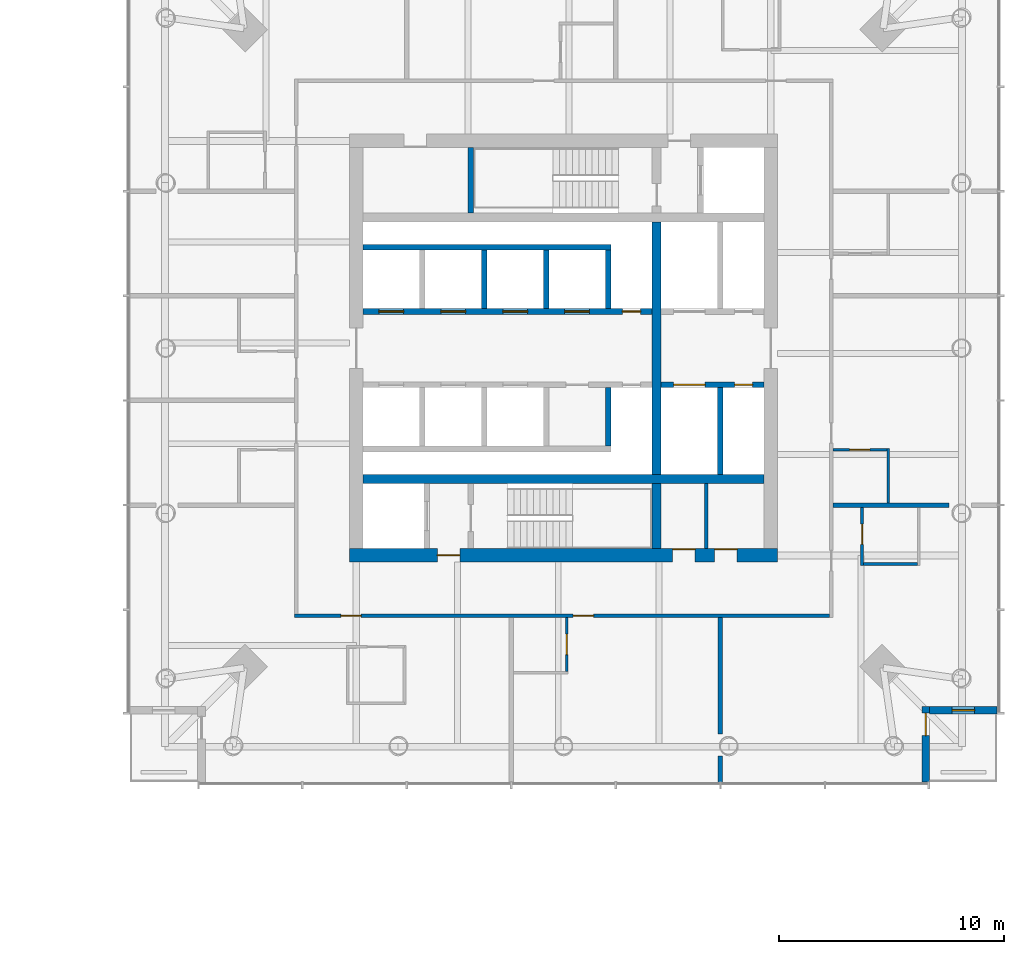
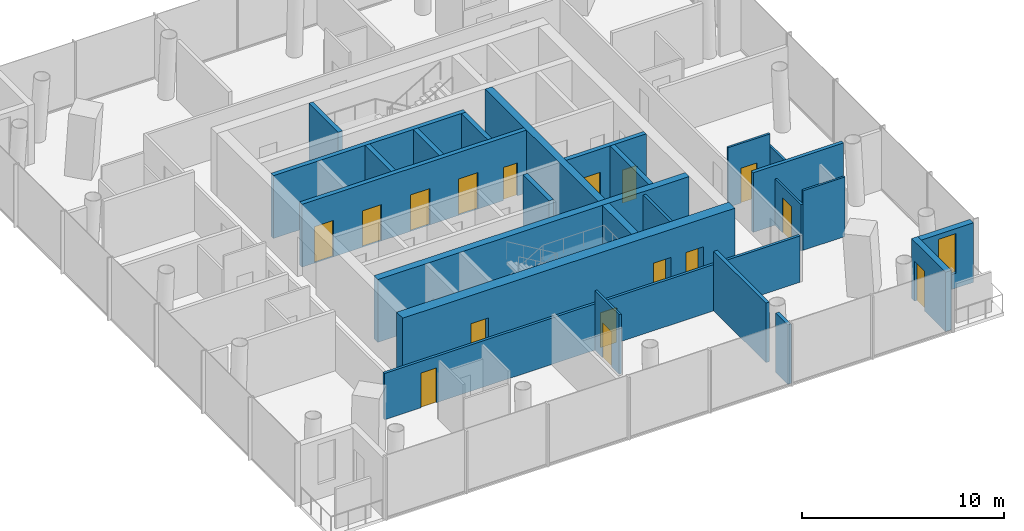
# One storey, part 14 of 26: 25 walls, 16 doors, 1 window, 17 openings.
"""IFC4 building model written with IfcOpenShell, lengths in metres."""

from ifc_helpers import new_model, si_unit, direction, frame, frame_2d, origin, place, context, subcontext, project, spatial, rectangle, extrude, material, layer, layer_set, type_object, element, fill, save


model = new_model("IFC4")

# Units and contexts
model_context = context("Model", 3, precision=1e-05, world=origin(), true_north=direction((0.0, 1.0)))
body_context = subcontext(model_context, "Body", "Model", "MODEL_VIEW")
ifc_project = project(units=[si_unit("LENGTHUNIT", "METRE"), si_unit("AREAUNIT", "SQUARE_METRE"), si_unit("VOLUMEUNIT", "CUBIC_METRE"), si_unit("PLANEANGLEUNIT", "RADIAN"), si_unit("MASSUNIT", "GRAM", prefix="KILO")], contexts=[model_context])

# Site, building, storey
site_placement = place(None, origin())
site = spatial("IfcSite", under=ifc_project, at=site_placement, CompositionType="ELEMENT")
building_placement = place(site_placement, origin())
building = spatial("IfcBuilding", under=site, at=building_placement, Name="Ostroluk Exchange", CompositionType="ELEMENT")
storey_placement = place(building_placement, frame((0.0, 0.0, 51.39990234375)))
storey = spatial("IfcBuildingStorey", under=building, at=storey_placement, Name="L12", CompositionType="ELEMENT", Elevation=51.39990234375)

# Walls
ifc_material_1 = material(Name="Concrete blockwork", Category="masonry")
ifc_layer_1 = layer(ifc_material_1, 0.14990234375)
ifc_layer_set_1 = layer_set([ifc_layer_1], Name="Blockwork plant room wall 150")
wall_type_1 = type_object("IfcWallType", Name="Blockwork plant room wall 150", PredefinedType="SOLIDWALL", material=ifc_layer_set_1)
wall_1_placement = place(storey_placement, frame((123.3408203125, 37.10009765625, 0.0), z_axis=(0.0, 0.0, 1.0), x_axis=(0.0, 1.0, 0.0)))
element("IfcWall", 1, at=wall_1_placement, inside=storey, type_object=wall_type_1, Name="Core room wall", PredefinedType="SOLIDWALL", context=body_context, shape_type="SweptSolid", body=[
    extrude(rectangle(XDim=2.89990234375, YDim=0.14990234375, at=frame_2d((1.449951171875, 0.0))), origin(), (0.0, 0.0, 1.0), 3.60009765625),
])
ifc_material_2 = material(Name="Concrete C50/60", Category="concrete")
ifc_layer_2 = layer(ifc_material_2, 0.39990234375)
ifc_layer_set_2 = layer_set([ifc_layer_2], Name="Core cross wall 400 C50/60")
wall_type_2 = type_object("IfcWallType", Name="Core cross wall 400 C50/60", PredefinedType="SHEAR", material=ifc_layer_set_2)
wall_2_placement = place(storey_placement, frame((108.10009765625, 40.199951171875, 0.0), z_axis=(0.0, 0.0, 1.0), x_axis=(1.0, 0.0, 0.0)))
element("IfcWall", 2, at=wall_2_placement, inside=storey, type_object=wall_type_2, Name="T2 core wall XS", PredefinedType="SHEAR", context=body_context, shape_type="SweptSolid", body=[
    extrude(rectangle(XDim=17.7998046875, YDim=0.39990234375, at=frame_2d((8.89990234375, 0.0))), origin(), (0.0, 0.0, 1.0), 3.800048828125),
])
wall_3_placement = place(storey_placement, frame((121.1298828125, 37.10009765625, 0.0), z_axis=(0.0, 0.0, 1.0), x_axis=(0.0, 1.0, 0.0)))
element("IfcWall", 3, at=wall_3_placement, inside=storey, type_object=wall_type_2, Name="T2 core wall YE1", PredefinedType="SHEAR", context=body_context, shape_type="SweptSolid", body=[
    extrude(rectangle(XDim=2.89990234375, YDim=0.39990234375, at=frame_2d((1.449951171875, 0.0))), origin(), (0.0, 0.0, 1.0), 3.800048828125),
])
wall_4_placement = place(storey_placement, frame((121.1298828125, 40.39990234375, 0.0), z_axis=(0.0, 0.0, 1.0), x_axis=(0.0, 1.0, 0.0)))
element("IfcWall", 4, at=wall_4_placement, inside=storey, type_object=wall_type_2, Name="T2 core wall YE2", PredefinedType="SHEAR", context=body_context, shape_type="SweptSolid", body=[
    extrude(rectangle(XDim=11.2001953125, YDim=0.39990234375, at=frame_2d((5.60009765625, 0.0))), origin(), (0.0, 0.0, 1.0), 3.800048828125),
])
ifc_material_3 = material(Name="Concrete C40/50", Category="concrete")
ifc_layer_3 = layer(ifc_material_3, 0.25)
ifc_layer_set_3 = layer_set([ifc_layer_3], Name="Core shaft wall 250")
wall_type_3 = type_object("IfcWallType", Name="Core shaft wall 250", PredefinedType="SHEAR", material=ifc_layer_set_3)
wall_5_placement = place(storey_placement, frame((112.875, 52.0, 0.0), z_axis=(0.0, 0.0, 1.0), x_axis=(0.0, 1.0, 0.0)))
element("IfcWall", 5, at=wall_5_placement, inside=storey, type_object=wall_type_3, Name="Stair shaft wall", PredefinedType="SHEAR", context=body_context, shape_type="SweptSolid", body=[
    extrude(rectangle(XDim=2.89990234375, YDim=0.25, at=frame_2d((1.449951171875, 0.0))), origin(), (0.0, 0.0, 1.0), 3.800048828125),
])
for number, where, z_axis, x_axis, name in (
    (6, (113.47509765625, 47.75, 0.0), (0.0, 0.0, 1.0), (0.0, 1.0, 0.0), "Lift shaft wall"),
    (7, (116.22509765625, 47.75, 0.0), (0.0, 0.0, 1.0), (0.0, 1.0, 0.0), "Lift shaft wall"),
    (8, (118.97509765625, 47.75, 0.0), (0.0, 0.0, 1.0), (0.0, 1.0, 0.0), "Lift shaft wall"),
):
    element("IfcWall", number, at=place(storey_placement, frame(where, z_axis=z_axis, x_axis=x_axis)), inside=storey, type_object=wall_type_3, Name=name, PredefinedType="SHEAR", context=body_context, shape_type="SweptSolid", body=[
        extrude(rectangle(XDim=2.60009765625, YDim=0.25, at=frame_2d((1.300048828125, 0.0))), origin(), (0.0, 0.0, 1.0), 3.800048828125),
    ])
wall_6_placement = place(storey_placement, frame((108.10009765625, 50.47509765625, 0.0), z_axis=(0.0, 0.0, 1.0), x_axis=(1.0, 0.0, 0.0)))
element("IfcWall", 9, at=wall_6_placement, inside=storey, type_object=wall_type_3, Name="Lift shaft wall", PredefinedType="SHEAR", context=body_context, shape_type="SweptSolid", body=[
    extrude(rectangle(XDim=11.0, YDim=0.25, at=frame_2d((5.5, 0.0))), origin(), (0.0, 0.0, 1.0), 3.800048828125),
])

# Wall, openings, doors
wall_7_placement = place(storey_placement, frame((108.10009765625, 47.625, 0.0), z_axis=(0.0, 0.0, 1.0), x_axis=(1.0, 0.0, 0.0)))
wall_7 = element("IfcWall", 10, at=wall_7_placement, inside=storey, type_object=wall_type_3, Name="Lift shaft front wall", PredefinedType="SHEAR", context=body_context, shape_type="SweptSolid", body=[
    extrude(rectangle(XDim=12.829833984375, YDim=0.25, at=frame_2d((6.4150390625, 0.0))), origin(), (0.0, 0.0, 1.0), 3.800048828125),
])
opening_1_placement = place(wall_7_placement, frame((0.699951171875, 0.0, 0.0)))
opening_1 = element("IfcOpeningElement", 11, at=opening_1_placement, cuts=wall_7, Name="Opening LD", PredefinedType="OPENING", context=body_context, shape_type="SweptSolid", body=[
    extrude(rectangle(XDim=1.10009765625, YDim=2.199951171875, at=frame_2d((0.550048828125, 1.10009765625))), frame((0.0, 0.135009765625, 0.0), z_axis=(0.0, -1.0, 0.0), x_axis=(1.0, 0.0, 0.0)), (0.0, 0.0, 1.0), 0.27001953125),
])
opening_2_placement = place(wall_7_placement, frame((3.449951171875, 0.0, 0.0)))
opening_2 = element("IfcOpeningElement", 12, at=opening_2_placement, cuts=wall_7, Name="Opening LD", PredefinedType="OPENING", context=body_context, shape_type="SweptSolid", body=[
    extrude(rectangle(XDim=1.10009765625, YDim=2.199951171875, at=frame_2d((0.550048828125, 1.10009765625))), frame((0.0, 0.135009765625, 0.0), z_axis=(0.0, -1.0, 0.0), x_axis=(1.0, 0.0, 0.0)), (0.0, 0.0, 1.0), 0.27001953125),
])
opening_3_placement = place(wall_7_placement, frame((6.199951171875, 0.0, 0.0)))
opening_3 = element("IfcOpeningElement", 13, at=opening_3_placement, cuts=wall_7, Name="Opening LD", PredefinedType="OPENING", context=body_context, shape_type="SweptSolid", body=[
    extrude(rectangle(XDim=1.10009765625, YDim=2.199951171875, at=frame_2d((0.550048828125, 1.10009765625))), frame((0.0, 0.135009765625, 0.0), z_axis=(0.0, -1.0, 0.0), x_axis=(1.0, 0.0, 0.0)), (0.0, 0.0, 1.0), 0.27001953125),
])
opening_4_placement = place(wall_7_placement, frame((8.949951171875, 0.0, 0.0)))
opening_4 = element("IfcOpeningElement", 14, at=opening_4_placement, cuts=wall_7, Name="Opening LD", PredefinedType="OPENING", context=body_context, shape_type="SweptSolid", body=[
    extrude(rectangle(XDim=1.10009765625, YDim=2.199951171875, at=frame_2d((0.550048828125, 1.10009765625))), frame((0.0, 0.135009765625, 0.0), z_axis=(0.0, -1.0, 0.0), x_axis=(1.0, 0.0, 0.0)), (0.0, 0.0, 1.0), 0.27001953125),
])
opening_5_placement = place(wall_7_placement, frame((11.514892578125, 0.0, 0.0)))
opening_5 = element("IfcOpeningElement", 15, at=opening_5_placement, cuts=wall_7, Name="Opening RD60", PredefinedType="OPENING", context=body_context, shape_type="SweptSolid", body=[
    extrude(rectangle(XDim=0.800048828125, YDim=2.0, at=frame_2d((0.39990234375, 1.0))), frame((0.0, 0.135009765625, 0.0), z_axis=(0.0, -1.0, 0.0), x_axis=(1.0, 0.0, 0.0)), (0.0, 0.0, 1.0), 0.27001953125),
])
ifc_material_4 = material(Name="Stainless steel", Category="steel")
door_type_1 = type_object("IfcDoorType", Name="Lift landing door E 60 1100 x 2200", OperationType="DOUBLE_DOOR_SLIDING", PredefinedType="DOOR", material=ifc_material_4)
door_1_placement = place(opening_1_placement, origin())
door_1 = element("IfcDoor", 16, at=door_1_placement, inside=storey, type_object=door_type_1, Name="Lift HL1 landing door", OperationType="DOUBLE_DOOR_SLIDING", OverallHeight=2.199951171875, OverallWidth=1.10009765625, PredefinedType="DOOR", context=body_context, shape_type="SweptSolid", body=[
    extrude(rectangle(XDim=1.10009765625, YDim=2.199951171875, at=frame_2d((0.550048828125, 1.10009765625))), frame((0.0, 0.02490234375, 0.0), z_axis=(0.0, -1.0, 0.0), x_axis=(1.0, 0.0, 0.0)), (0.0, 0.0, 1.0), 0.050048828125),
])
fill(opening_1, door_1)
door_2_placement = place(opening_2_placement, origin())
door_2 = element("IfcDoor", 17, at=door_2_placement, inside=storey, type_object=door_type_1, Name="Lift HL2 landing door", OperationType="DOUBLE_DOOR_SLIDING", OverallHeight=2.199951171875, OverallWidth=1.10009765625, PredefinedType="DOOR", context=body_context, shape_type="SweptSolid", body=[
    extrude(rectangle(XDim=1.10009765625, YDim=2.199951171875, at=frame_2d((0.550048828125, 1.10009765625))), frame((0.0, 0.02490234375, 0.0), z_axis=(0.0, -1.0, 0.0), x_axis=(1.0, 0.0, 0.0)), (0.0, 0.0, 1.0), 0.050048828125),
])
fill(opening_2, door_2)
door_3_placement = place(opening_3_placement, origin())
door_3 = element("IfcDoor", 18, at=door_3_placement, inside=storey, type_object=door_type_1, Name="Lift HL3 landing door", OperationType="DOUBLE_DOOR_SLIDING", OverallHeight=2.199951171875, OverallWidth=1.10009765625, PredefinedType="DOOR", context=body_context, shape_type="SweptSolid", body=[
    extrude(rectangle(XDim=1.10009765625, YDim=2.199951171875, at=frame_2d((0.550048828125, 1.10009765625))), frame((0.0, 0.02490234375, 0.0), z_axis=(0.0, -1.0, 0.0), x_axis=(1.0, 0.0, 0.0)), (0.0, 0.0, 1.0), 0.050048828125),
])
fill(opening_3, door_3)
door_4_placement = place(opening_4_placement, origin())
door_4 = element("IfcDoor", 19, at=door_4_placement, inside=storey, type_object=door_type_1, Name="Lift HL4 landing door", OperationType="DOUBLE_DOOR_SLIDING", OverallHeight=2.199951171875, OverallWidth=1.10009765625, PredefinedType="DOOR", context=body_context, shape_type="SweptSolid", body=[
    extrude(rectangle(XDim=1.10009765625, YDim=2.199951171875, at=frame_2d((0.550048828125, 1.10009765625))), frame((0.0, 0.02490234375, 0.0), z_axis=(0.0, -1.0, 0.0), x_axis=(1.0, 0.0, 0.0)), (0.0, 0.0, 1.0), 0.050048828125),
])
fill(opening_4, door_4)
ifc_material_5 = material(Name="Steel", Category="steel")
door_type_2 = type_object("IfcDoorType", Name="Riser access door EI 60 800 x 2000", OperationType="SINGLE_SWING_LEFT", PredefinedType="DOOR", material=ifc_material_5)
door_5_placement = place(opening_5_placement, origin())
door_5 = element("IfcDoor", 20, at=door_5_placement, inside=storey, type_object=door_type_2, Name="Riser access door", OperationType="SINGLE_SWING_RIGHT", OverallHeight=2.0, OverallWidth=0.800048828125, PredefinedType="DOOR", context=body_context, shape_type="SweptSolid", body=[
    extrude(rectangle(XDim=0.800048828125, YDim=2.0, at=frame_2d((0.39990234375, 1.0))), frame((0.0, 0.02490234375, 0.0), z_axis=(0.0, -1.0, 0.0), x_axis=(1.0, 0.0, 0.0)), (0.0, 0.0, 1.0), 0.050048828125),
])
fill(opening_5, door_5)

# Walls
wall_8_placement = place(storey_placement, frame((118.97509765625, 44.25, 0.0), z_axis=(0.0, 0.0, 1.0), x_axis=(0.0, -1.0, 0.0)))
element("IfcWall", 21, at=wall_8_placement, inside=storey, type_object=wall_type_3, Name="Lift shaft wall", PredefinedType="SHEAR", context=body_context, shape_type="SweptSolid", body=[
    extrude(rectangle(XDim=2.60009765625, YDim=0.25, at=frame_2d((1.300048828125, 0.0))), origin(), (0.0, 0.0, 1.0), 3.800048828125),
])
wall_9_placement = place(storey_placement, frame((123.955078125, 44.25, 0.0), z_axis=(0.0, 0.0, 1.0), x_axis=(0.0, -1.0, 0.0)))
element("IfcWall", 22, at=wall_9_placement, inside=storey, type_object=wall_type_3, Name="Lift shaft wall", PredefinedType="SHEAR", context=body_context, shape_type="SweptSolid", body=[
    extrude(rectangle(XDim=3.85009765625, YDim=0.25, at=frame_2d((1.925048828125, 0.0))), origin(), (0.0, 0.0, 1.0), 3.800048828125),
])

# Wall, openings, doors
wall_10_placement = place(storey_placement, frame((121.330078125, 44.375, 0.0), z_axis=(0.0, 0.0, 1.0), x_axis=(1.0, 0.0, 0.0)))
wall_10 = element("IfcWall", 23, at=wall_10_placement, inside=storey, type_object=wall_type_3, Name="Lift shaft front wall", PredefinedType="SHEAR", context=body_context, shape_type="SweptSolid", body=[
    extrude(rectangle(XDim=4.56982421875, YDim=0.25, at=frame_2d((2.284912109375, 0.0))), origin(), (0.0, 0.0, 1.0), 3.800048828125),
])
opening_6_placement = place(wall_10_placement, frame((0.550048828125, 0.0, 0.0)))
opening_6 = element("IfcOpeningElement", 24, at=opening_6_placement, cuts=wall_10, Name="Opening LD3", PredefinedType="OPENING", context=body_context, shape_type="SweptSolid", body=[
    extrude(rectangle(XDim=1.39990234375, YDim=2.39990234375, at=frame_2d((0.699951171875, 1.199951171875))), frame((0.0, 0.135009765625, 0.0), z_axis=(0.0, -1.0, 0.0), x_axis=(1.0, 0.0, 0.0)), (0.0, 0.0, 1.0), 0.27001953125),
])
opening_7_placement = place(wall_10_placement, frame((3.260009765625, 0.0, 0.0)))
opening_7 = element("IfcOpeningElement", 25, at=opening_7_placement, cuts=wall_10, Name="Opening RD60", PredefinedType="OPENING", context=body_context, shape_type="SweptSolid", body=[
    extrude(rectangle(XDim=0.800048828125, YDim=2.0, at=frame_2d((0.39990234375, 1.0))), frame((0.0, 0.135009765625, 0.0), z_axis=(0.0, -1.0, 0.0), x_axis=(1.0, 0.0, 0.0)), (0.0, 0.0, 1.0), 0.27001953125),
])
ifc_material_6 = material(Name="Stainless steel", Category="steel")
door_type_3 = type_object("IfcDoorType", Name="Goods lift landing door E 60 1400 x 2400", OperationType="DOUBLE_DOOR_SLIDING", PredefinedType="DOOR", material=ifc_material_6)
door_6_placement = place(opening_6_placement, origin())
door_6 = element("IfcDoor", 26, at=door_6_placement, inside=storey, type_object=door_type_3, Name="Lift HS2 landing door", OperationType="DOUBLE_DOOR_SLIDING", OverallHeight=2.39990234375, OverallWidth=1.39990234375, PredefinedType="DOOR", context=body_context, shape_type="SweptSolid", body=[
    extrude(rectangle(XDim=1.39990234375, YDim=2.39990234375, at=frame_2d((0.699951171875, 1.199951171875))), frame((0.0, 0.02490234375, 0.0), z_axis=(0.0, -1.0, 0.0), x_axis=(1.0, 0.0, 0.0)), (0.0, 0.0, 1.0), 0.050048828125),
])
fill(opening_6, door_6)
door_7_placement = place(opening_7_placement, origin())
door_7 = element("IfcDoor", 27, at=door_7_placement, inside=storey, type_object=door_type_2, Name="Riser access door", OperationType="SINGLE_SWING_RIGHT", OverallHeight=2.0, OverallWidth=0.800048828125, PredefinedType="DOOR", context=body_context, shape_type="SweptSolid", body=[
    extrude(rectangle(XDim=0.800048828125, YDim=2.0, at=frame_2d((0.39990234375, 1.0))), frame((0.0, 0.02490234375, 0.0), z_axis=(0.0, -1.0, 0.0), x_axis=(1.0, 0.0, 0.0)), (0.0, 0.0, 1.0), 0.050048828125),
])
fill(opening_7, door_7)

ifc_material_7 = material(Name="Concrete C50/60", Category="concrete")
ifc_layer_4 = layer(ifc_material_7, 0.60009765625)
ifc_layer_set_4 = layer_set([ifc_layer_4], Name="Core wall 600 C50/60")
wall_type_4 = type_object("IfcWallType", Name="Core wall 600 C50/60", PredefinedType="SHEAR", material=ifc_layer_set_4)
wall_11_placement = place(storey_placement, frame((107.5, 36.800048828125, 0.0), z_axis=(0.0, 0.0, 1.0), x_axis=(1.0, 0.0, 0.0)))
wall_11 = element("IfcWall", 28, at=wall_11_placement, inside=storey, type_object=wall_type_4, Name="T2 core wall S", PredefinedType="SHEAR", context=body_context, shape_type="SweptSolid", body=[
    extrude(rectangle(XDim=19.0, YDim=0.60009765625, at=frame_2d((9.5, 0.0))), origin(), (0.0, 0.0, 1.0), 3.800048828125),
])
opening_8_placement = place(wall_11_placement, frame((3.89990234375, 0.0, 0.0)))
opening_8 = element("IfcOpeningElement", 29, at=opening_8_placement, cuts=wall_11, Name="Opening FD60", PredefinedType="OPENING", context=body_context, shape_type="SweptSolid", body=[
    extrude(rectangle(XDim=1.0, YDim=2.10009765625, at=frame_2d((0.5, 1.050048828125))), frame((0.0, 0.31005859375, 0.0), z_axis=(0.0, -1.0, 0.0), x_axis=(1.0, 0.0, 0.0)), (0.0, 0.0, 1.0), 0.6201171875),
])
opening_9_placement = place(wall_11_placement, frame((14.33544921875, 0.0, 0.0)))
opening_9 = element("IfcOpeningElement", 30, at=opening_9_placement, cuts=wall_11, Name="Opening FD60", PredefinedType="OPENING", context=body_context, shape_type="SweptSolid", body=[
    extrude(rectangle(XDim=1.0, YDim=2.10009765625, at=frame_2d((0.5, 1.050048828125))), frame((0.0, 0.31005859375, 0.0), z_axis=(0.0, -1.0, 0.0), x_axis=(1.0, 0.0, 0.0)), (0.0, 0.0, 1.0), 0.6201171875),
])
opening_10_placement = place(wall_11_placement, frame((16.199951171875, 0.0, 0.0)))
opening_10 = element("IfcOpeningElement", 31, at=opening_10_placement, cuts=wall_11, Name="Opening FD60", PredefinedType="OPENING", context=body_context, shape_type="SweptSolid", body=[
    extrude(rectangle(XDim=1.0, YDim=2.10009765625, at=frame_2d((0.5, 1.050048828125))), frame((0.0, 0.31005859375, 0.0), z_axis=(0.0, -1.0, 0.0), x_axis=(1.0, 0.0, 0.0)), (0.0, 0.0, 1.0), 0.6201171875),
])
ifc_material_8 = material(Name="Steel", Category="steel")
door_type_4 = type_object("IfcDoorType", Name="Fire door EI 60 1000 x 2100", OperationType="SINGLE_SWING_LEFT", PredefinedType="DOOR", material=ifc_material_8)
door_8_placement = place(opening_8_placement, origin())
door_8 = element("IfcDoor", 32, at=door_8_placement, inside=storey, type_object=door_type_4, Name="Firefighting lobby door", OperationType="SINGLE_SWING_LEFT", OverallHeight=2.10009765625, OverallWidth=1.0, PredefinedType="DOOR", context=body_context, shape_type="SweptSolid", body=[
    extrude(rectangle(XDim=1.0, YDim=2.10009765625, at=frame_2d((0.5, 1.050048828125))), frame((0.0, 0.02490234375, 0.0), z_axis=(0.0, -1.0, 0.0), x_axis=(1.0, 0.0, 0.0)), (0.0, 0.0, 1.0), 0.050048828125),
])
fill(opening_8, door_8)
door_9_placement = place(opening_9_placement, origin())
door_9 = element("IfcDoor", 33, at=door_9_placement, inside=storey, type_object=door_type_4, Name="Comms room door", OperationType="SINGLE_SWING_RIGHT", OverallHeight=2.10009765625, OverallWidth=1.0, PredefinedType="DOOR", context=body_context, shape_type="SweptSolid", body=[
    extrude(rectangle(XDim=1.0, YDim=2.10009765625, at=frame_2d((0.5, 1.050048828125))), frame((0.0, 0.2900390625, 0.0), z_axis=(0.0, -1.0, 0.0), x_axis=(1.0, 0.0, 0.0)), (0.0, 0.0, 1.0), 0.050048828125),
])
fill(opening_9, door_9)
door_10_placement = place(opening_10_placement, origin())
door_10 = element("IfcDoor", 34, at=door_10_placement, inside=storey, type_object=door_type_4, Name="Guest pantry door", OperationType="SINGLE_SWING_RIGHT", OverallHeight=2.10009765625, OverallWidth=1.0, PredefinedType="DOOR", context=body_context, shape_type="SweptSolid", body=[
    extrude(rectangle(XDim=1.0, YDim=2.10009765625, at=frame_2d((0.5, 1.050048828125))), frame((0.0, 0.2900390625, 0.0), z_axis=(0.0, -1.0, 0.0), x_axis=(1.0, 0.0, 0.0)), (0.0, 0.0, 1.0), 0.050048828125),
])
fill(opening_10, door_10)

# Wall, opening, door
ifc_material_9 = material(Name="Limestone", Category="masonry")
ifc_layer_5 = layer(ifc_material_9, 0.35009765625)
ifc_layer_set_5 = layer_set([ifc_layer_5], Name="Limestone facade wall 350")
wall_type_5 = type_object("IfcWallType", Name="Limestone facade wall 350", PredefinedType="SOLIDWALL", material=ifc_layer_set_5)
wall_12_placement = place(storey_placement, frame((133.074951171875, 26.75, 0.0), z_axis=(0.0, 0.0, 1.0), x_axis=(0.0, 1.0, 0.0)))
wall_12 = element("IfcWall", 35, at=wall_12_placement, inside=storey, type_object=wall_type_5, Name="Hotel tower SE corner wall L12 a", PredefinedType="SOLIDWALL", context=body_context, shape_type="SweptSolid", body=[
    extrude(rectangle(XDim=3.35009765625, YDim=0.35009765625, at=frame_2d((1.675048828125, 0.0))), origin(), (0.0, 0.0, 1.0), 3.60009765625),
])
opening_11_placement = place(wall_12_placement, frame((2.050048828125, 0.0, 0.0)))
opening_11 = element("IfcOpeningElement", 36, at=opening_11_placement, cuts=wall_12, Name="Opening D-B1", PredefinedType="OPENING", context=body_context, shape_type="SweptSolid", body=[
    extrude(rectangle(XDim=1.0, YDim=2.39990234375, at=frame_2d((0.5, 1.199951171875))), frame((0.0, 0.18505859375, 0.0), z_axis=(0.0, -1.0, 0.0), x_axis=(1.0, 0.0, 0.0)), (0.0, 0.0, 1.0), 0.3701171875),
])
ifc_material_10 = material(Name="Bronze framed glazed door", Category="aluminium")
door_type_5 = type_object("IfcDoorType", Name="Balcony door 1000 x 2400", OperationType="SINGLE_SWING_LEFT", PredefinedType="DOOR", material=ifc_material_10)
door_11_placement = place(opening_11_placement, origin())
door_11 = element("IfcDoor", 37, at=door_11_placement, inside=storey, type_object=door_type_5, Name="Hotel tower SE balcony door L12", OperationType="SINGLE_SWING_RIGHT", OverallHeight=2.39990234375, OverallWidth=1.0, PredefinedType="DOOR", context=body_context, shape_type="SweptSolid", body=[
    extrude(rectangle(XDim=1.0, YDim=2.39990234375, at=frame_2d((0.5, 1.199951171875))), frame((0.0, 0.02490234375, 0.0), z_axis=(0.0, -1.0, 0.0), x_axis=(1.0, 0.0, 0.0)), (0.0, 0.0, 1.0), 0.050048828125),
])
fill(opening_11, door_11)

# Wall, opening, window
wall_13_placement = place(storey_placement, frame((133.25, 29.925048828125, 0.0), z_axis=(0.0, 0.0, 1.0), x_axis=(1.0, 0.0, 0.0)))
wall_13 = element("IfcWall", 38, at=wall_13_placement, inside=storey, type_object=wall_type_5, Name="Hotel tower SE corner wall L12 b", PredefinedType="SOLIDWALL", context=body_context, shape_type="SweptSolid", body=[
    extrude(rectangle(XDim=3.0, YDim=0.35009765625, at=frame_2d((1.5, 0.0))), origin(), (0.0, 0.0, 1.0), 3.60009765625),
])
opening_12_placement = place(wall_13_placement, frame((1.0, 0.0, 0.89990234375)))
opening_12 = element("IfcOpeningElement", 39, at=opening_12_placement, cuts=wall_13, Name="Opening WN-L3", PredefinedType="OPENING", context=body_context, shape_type="SweptSolid", body=[
    extrude(rectangle(XDim=1.0, YDim=2.39990234375, at=frame_2d((0.5, 1.199951171875))), frame((0.0, 0.18505859375, 0.0), z_axis=(0.0, -1.0, 0.0), x_axis=(1.0, 0.0, 0.0)), (0.0, 0.0, 1.0), 0.3701171875),
])
ifc_material_11 = material(Name="Laminated clear glass", Category="glass")
window_type = type_object("IfcWindowType", Name="Hotel lancet window 1000 x 2400", PartitioningType="SINGLE_PANEL", PredefinedType="WINDOW", material=ifc_material_11)
window_placement = place(opening_12_placement, origin())
window = element("IfcWindow", 40, at=window_placement, inside=storey, type_object=window_type, Name="Hotel tower SE lancet window L12", OverallHeight=2.39990234375, OverallWidth=1.0, PartitioningType="SINGLE_PANEL", PredefinedType="WINDOW", context=body_context, shape_type="SweptSolid", body=[
    extrude(rectangle(XDim=1.0, YDim=2.39990234375, at=frame_2d((0.5, 1.199951171875))), frame((0.0, 0.030029296875, 0.0), z_axis=(0.0, -1.0, 0.0), x_axis=(1.0, 0.0, 0.0)), (0.0, 0.0, 1.0), 0.06005859375),
])
fill(opening_12, window)

# Wall, opening, door
ifc_material_12 = material(Name="Gypsum plasterboard partition, moisture resistant", Category="gypsum")
ifc_layer_6 = layer(ifc_material_12, 0.1201171875)
ifc_layer_set_6 = layer_set([ifc_layer_6], Name="Plasterboard en-suite wall 120")
wall_type_6 = type_object("IfcWallType", Name="Plasterboard en-suite wall 120", PredefinedType="PARTITIONING", material=ifc_layer_set_6)
wall_14_placement = place(storey_placement, frame((130.25, 38.935791015625, 0.0), z_axis=(0.0, 0.0, 1.0), x_axis=(0.0, -1.0, 0.0)))
wall_14 = element("IfcWall", 41, at=wall_14_placement, inside=storey, type_object=wall_type_6, Name="En-suite wall", PredefinedType="PARTITIONING", context=body_context, shape_type="SweptSolid", body=[
    extrude(rectangle(XDim=2.580078125, YDim=0.1201171875, at=frame_2d((1.2900390625, 0.0))), origin(), (0.0, 0.0, 1.0), 2.800048828125),
])
opening_13_placement = place(wall_14_placement, frame((0.75, 0.0, 0.0)))
opening_13 = element("IfcOpeningElement", 42, at=opening_13_placement, cuts=wall_14, Name="Opening D-02", PredefinedType="OPENING", context=body_context, shape_type="SweptSolid", body=[
    extrude(rectangle(XDim=0.89990234375, YDim=2.10009765625, at=frame_2d((0.449951171875, 1.050048828125))), frame((0.0, 0.070068359375, 0.0), z_axis=(0.0, -1.0, 0.0), x_axis=(1.0, 0.0, 0.0)), (0.0, 0.0, 1.0), 0.14013671875),
])
ifc_material_13 = material(Name="Timber", Category="wood")
door_type_6 = type_object("IfcDoorType", Name="En-suite door 900 x 2100", OperationType="SINGLE_SWING_LEFT", PredefinedType="DOOR", material=ifc_material_13)
door_12_placement = place(opening_13_placement, origin())
door_12 = element("IfcDoor", 43, at=door_12_placement, inside=storey, type_object=door_type_6, Name="En-suite door 1201", OperationType="SINGLE_SWING_LEFT", OverallHeight=2.10009765625, OverallWidth=0.89990234375, PredefinedType="DOOR", context=body_context, shape_type="SweptSolid", body=[
    extrude(rectangle(XDim=0.89990234375, YDim=2.10009765625, at=frame_2d((0.449951171875, 1.050048828125))), frame((0.0, 0.02490234375, 0.0), z_axis=(0.0, -1.0, 0.0), x_axis=(1.0, 0.0, 0.0)), (0.0, 0.0, 1.0), 0.050048828125),
])
fill(opening_13, door_12)

# Walls
wall_15_placement = place(storey_placement, frame((130.31005859375, 36.415771484375, 0.0), z_axis=(0.0, 0.0, 1.0), x_axis=(1.0, 0.0, 0.0)))
element("IfcWall", 44, at=wall_15_placement, inside=storey, type_object=wall_type_6, Name="En-suite wall", PredefinedType="PARTITIONING", context=body_context, shape_type="SweptSolid", body=[
    extrude(rectangle(XDim=2.39990234375, YDim=0.1201171875, at=frame_2d((1.199951171875, 0.0))), origin(), (0.0, 0.0, 1.0), 3.60009765625),
])
wall_16_placement = place(storey_placement, frame((131.409912109375, 39.1357421875, 0.0), z_axis=(0.0, 0.0, 1.0), x_axis=(0.0, 1.0, 0.0)))
element("IfcWall", 45, at=wall_16_placement, inside=storey, type_object=wall_type_6, Name="En-suite wall", PredefinedType="PARTITIONING", context=body_context, shape_type="SweptSolid", body=[
    extrude(rectangle(XDim=2.419921875, YDim=0.1201171875, at=frame_2d((1.2099609375, 0.0))), origin(), (0.0, 0.0, 1.0), 2.84716796875),
])

# Wall, opening, door
wall_17_placement = place(storey_placement, frame((128.949951171875, 41.49560546875, 0.0), z_axis=(0.0, 0.0, 1.0), x_axis=(1.0, 0.0, 0.0)))
wall_17 = element("IfcWall", 46, at=wall_17_placement, inside=storey, type_object=wall_type_6, Name="En-suite wall", PredefinedType="PARTITIONING", context=body_context, shape_type="SweptSolid", body=[
    extrude(rectangle(XDim=2.400146484375, YDim=0.1201171875, at=frame_2d((1.2001953125, 0.0))), origin(), (0.0, 0.0, 1.0), 3.60009765625),
])
opening_14_placement = place(wall_17_placement, frame((0.75, 0.0, 0.0)))
opening_14 = element("IfcOpeningElement", 47, at=opening_14_placement, cuts=wall_17, Name="Opening D-02", PredefinedType="OPENING", context=body_context, shape_type="SweptSolid", body=[
    extrude(rectangle(XDim=0.89990234375, YDim=2.10009765625, at=frame_2d((0.449951171875, 1.050048828125))), frame((0.0, 0.070068359375, 0.0), z_axis=(0.0, -1.0, 0.0), x_axis=(1.0, 0.0, 0.0)), (0.0, 0.0, 1.0), 0.14013671875),
])
door_13_placement = place(opening_14_placement, origin())
door_13 = element("IfcDoor", 48, at=door_13_placement, inside=storey, type_object=door_type_6, Name="En-suite door 1202", OperationType="SINGLE_SWING_LEFT", OverallHeight=2.10009765625, OverallWidth=0.89990234375, PredefinedType="DOOR", context=body_context, shape_type="SweptSolid", body=[
    extrude(rectangle(XDim=0.89990234375, YDim=2.10009765625, at=frame_2d((0.449951171875, 1.050048828125))), frame((0.0, 0.02490234375, 0.0), z_axis=(0.0, -1.0, 0.0), x_axis=(1.0, 0.0, 0.0)), (0.0, 0.0, 1.0), 0.050048828125),
])
fill(opening_14, door_13)

wall_18_placement = place(storey_placement, frame((117.138671875, 34.050048828125, 0.0), z_axis=(0.0, 0.0, 1.0), x_axis=(0.0, -1.0, 0.0)))
wall_18 = element("IfcWall", 49, at=wall_18_placement, inside=storey, type_object=wall_type_6, Name="En-suite wall", PredefinedType="PARTITIONING", context=body_context, shape_type="SweptSolid", body=[
    extrude(rectangle(XDim=2.400146484375, YDim=0.1201171875, at=frame_2d((1.2001953125, 0.0))), origin(), (0.0, 0.0, 1.0), 3.60009765625),
])
opening_15_placement = place(wall_18_placement, frame((0.75, 0.0, 0.0)))
opening_15 = element("IfcOpeningElement", 50, at=opening_15_placement, cuts=wall_18, Name="Opening D-02", PredefinedType="OPENING", context=body_context, shape_type="SweptSolid", body=[
    extrude(rectangle(XDim=0.89990234375, YDim=2.10009765625, at=frame_2d((0.449951171875, 1.050048828125))), frame((0.0, 0.070068359375, 0.0), z_axis=(0.0, -1.0, 0.0), x_axis=(1.0, 0.0, 0.0)), (0.0, 0.0, 1.0), 0.14013671875),
])
door_14_placement = place(opening_15_placement, origin())
door_14 = element("IfcDoor", 51, at=door_14_placement, inside=storey, type_object=door_type_6, Name="En-suite door 1210", OperationType="SINGLE_SWING_RIGHT", OverallHeight=2.10009765625, OverallWidth=0.89990234375, PredefinedType="DOOR", context=body_context, shape_type="SweptSolid", body=[
    extrude(rectangle(XDim=0.89990234375, YDim=2.10009765625, at=frame_2d((0.449951171875, 1.050048828125))), frame((0.0, 0.02490234375, 0.0), z_axis=(0.0, -1.0, 0.0), x_axis=(1.0, 0.0, 0.0)), (0.0, 0.0, 1.0), 0.050048828125),
])
fill(opening_15, door_14)

# Wall, openings, doors
ifc_material_14 = material(Name="Gypsum plasterboard partition", Category="gypsum")
ifc_layer_7 = layer(ifc_material_14, 0.14990234375)
ifc_layer_set_7 = layer_set([ifc_layer_7], Name="Plasterboard partition 150")
wall_type_7 = type_object("IfcWallType", Name="Plasterboard partition 150", PredefinedType="PARTITIONING", material=ifc_layer_set_7)
wall_19_placement = place(storey_placement, frame((105.050048828125, 34.125, 0.0), z_axis=(0.0, 0.0, 1.0), x_axis=(1.0, 0.0, 0.0)))
wall_19 = element("IfcWall", 52, at=wall_19_placement, inside=storey, type_object=wall_type_7, Name="Corridor wall", PredefinedType="PARTITIONING", context=body_context, shape_type="SweptSolid", body=[
    extrude(rectangle(XDim=23.75, YDim=0.14990234375, at=frame_2d((11.875, 0.0))), origin(), (0.0, 0.0, 1.0), 2.800048828125),
])
opening_16_placement = place(wall_19_placement, frame((2.06787109375, 0.0, 0.0)))
opening_16 = element("IfcOpeningElement", 53, at=opening_16_placement, cuts=wall_19, Name="Opening D-01", PredefinedType="OPENING", context=body_context, shape_type="SweptSolid", body=[
    extrude(rectangle(XDim=0.89990234375, YDim=2.10009765625, at=frame_2d((0.449951171875, 1.050048828125))), frame((0.0, 0.0849609375, 0.0), z_axis=(0.0, -1.0, 0.0), x_axis=(1.0, 0.0, 0.0)), (0.0, 0.0, 1.0), 0.169921875),
])
opening_17_placement = place(wall_19_placement, frame((12.378662109375, 0.0, 0.0)))
opening_17 = element("IfcOpeningElement", 54, at=opening_17_placement, cuts=wall_19, Name="Opening D-01", PredefinedType="OPENING", context=body_context, shape_type="SweptSolid", body=[
    extrude(rectangle(XDim=0.89990234375, YDim=2.10009765625, at=frame_2d((0.449951171875, 1.050048828125))), frame((0.0, 0.0849609375, 0.0), z_axis=(0.0, -1.0, 0.0), x_axis=(1.0, 0.0, 0.0)), (0.0, 0.0, 1.0), 0.169921875),
])
ifc_material_15 = material(Name="Timber", Category="wood")
door_type_7 = type_object("IfcDoorType", Name="Hotel room door EI 30 Sa 900 x 2100", OperationType="SINGLE_SWING_LEFT", PredefinedType="DOOR", material=ifc_material_15)
door_15_placement = place(opening_16_placement, origin())
door_15 = element("IfcDoor", 55, at=door_15_placement, inside=storey, type_object=door_type_7, Name="Room door 1209", OperationType="SINGLE_SWING_LEFT", OverallHeight=2.10009765625, OverallWidth=0.89990234375, PredefinedType="DOOR", context=body_context, shape_type="SweptSolid", body=[
    extrude(rectangle(XDim=0.89990234375, YDim=2.10009765625, at=frame_2d((0.449951171875, 1.050048828125))), frame((0.0, 0.02490234375, 0.0), z_axis=(0.0, -1.0, 0.0), x_axis=(1.0, 0.0, 0.0)), (0.0, 0.0, 1.0), 0.050048828125),
])
fill(opening_16, door_15)
door_16_placement = place(opening_17_placement, origin())
door_16 = element("IfcDoor", 56, at=door_16_placement, inside=storey, type_object=door_type_7, Name="Room door 1210", OperationType="SINGLE_SWING_RIGHT", OverallHeight=2.10009765625, OverallWidth=0.89990234375, PredefinedType="DOOR", context=body_context, shape_type="SweptSolid", body=[
    extrude(rectangle(XDim=0.89990234375, YDim=2.10009765625, at=frame_2d((0.449951171875, 1.050048828125))), frame((0.0, 0.02490234375, 0.0), z_axis=(0.0, -1.0, 0.0), x_axis=(1.0, 0.0, 0.0)), (0.0, 0.0, 1.0), 0.050048828125),
])
fill(opening_17, door_16)

# Walls
ifc_material_16 = material(Name="Gypsum plasterboard partition", Category="gypsum")
ifc_layer_8 = layer(ifc_material_16, 0.199951171875)
ifc_layer_set_8 = layer_set([ifc_layer_8], Name="Plasterboard party wall 200")
wall_type_8 = type_object("IfcWallType", Name="Plasterboard party wall 200", PredefinedType="PARTITIONING", material=ifc_layer_set_8)
for number, where, z_axis, x_axis, name in (
    (57, (128.949951171875, 39.03564453125, 0.0), (0.0, 0.0, 1.0), (1.0, 0.0, 0.0), "Party wall"),
    (58, (123.96435546875, 34.050048828125, 0.0), (0.0, 0.0, 1.0), (0.0, -1.0, 0.0), "Party wall"),
):
    element("IfcWall", number, at=place(storey_placement, frame(where, z_axis=z_axis, x_axis=x_axis)), inside=storey, type_object=wall_type_8, Name=name, PredefinedType="PARTITIONING", context=body_context, shape_type="SweptSolid", body=[
        extrude(rectangle(XDim=5.16943359375, YDim=0.199951171875, at=frame_2d((2.584716796875, 0.0))), origin(), (0.0, 0.0, 1.0), 3.60009765625),
    ])
wall_20_placement = place(storey_placement, frame((123.96435546875, 27.90380859375, 0.0), z_axis=(0.0, 0.0, 1.0), x_axis=(0.0, -1.0, 0.0)))
element("IfcWall", 59, at=wall_20_placement, inside=storey, type_object=wall_type_8, Name="Party wall", PredefinedType="PARTITIONING", context=body_context, shape_type="SweptSolid", body=[
    extrude(rectangle(XDim=1.19384765625, YDim=0.199951171875, at=frame_2d((0.596923828125, 0.0))), origin(), (0.0, 0.0, 1.0), 3.60009765625),
])

save(model, "model.ifc")
